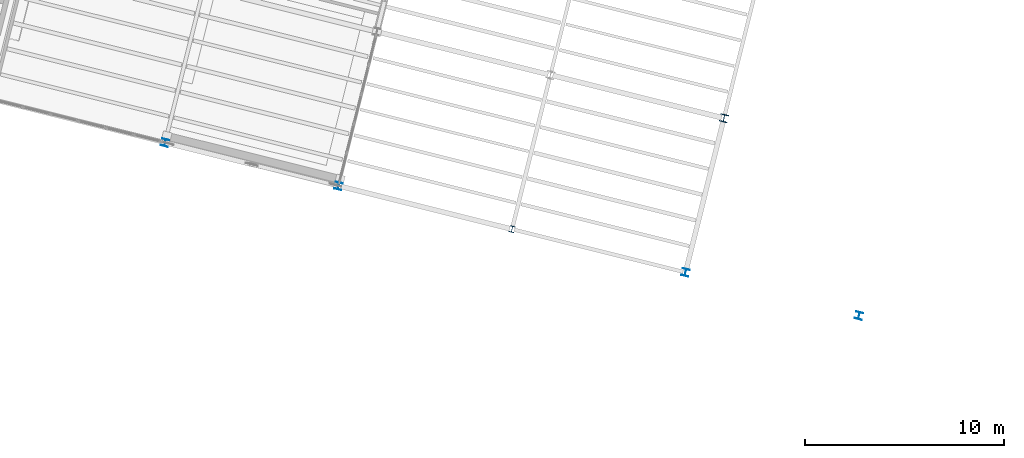
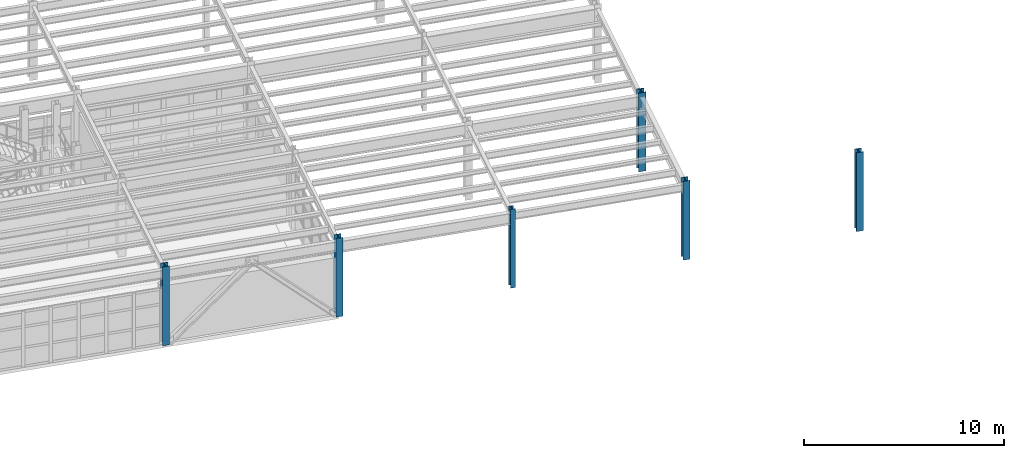
# One storey, part 7 of 109: 6 columns.
"""IFC4 building model written with IfcOpenShell, lengths in metres."""

from ifc_helpers import new_model, si_unit, direction, frame, origin, origin_2d, place, context, subcontext, project, spatial, i_section, extrude, material, material_profile, profile_set, type_object, element, save


model = new_model("IFC4")

# Units and contexts
model_context = context("Model", 3, precision=1e-05, world=origin(), true_north=direction((0.0, 1.0)))
body_context = subcontext(model_context, "Body", "Model", "MODEL_VIEW")
ifc_project = project(units=[si_unit("LENGTHUNIT", "METRE"), si_unit("AREAUNIT", "SQUARE_METRE"), si_unit("VOLUMEUNIT", "CUBIC_METRE"), si_unit("PLANEANGLEUNIT", "RADIAN"), si_unit("MASSUNIT", "GRAM", prefix="KILO")], contexts=[model_context])

# Site, building, storey
site_placement = place(None, origin())
site = spatial("IfcSite", under=ifc_project, at=site_placement, CompositionType="ELEMENT")
building_placement = place(site_placement, origin())
building = spatial("IfcBuilding", under=site, at=building_placement, Name="Vireo Bluff Cable Station", CompositionType="ELEMENT")
storey_placement = place(building_placement, frame((0.0, 0.0, 4.800048828125)))
storey = spatial("IfcBuildingStorey", under=building, at=storey_placement, Name="L01", CompositionType="ELEMENT", Elevation=4.800048828125)

# Columns
ifc_material = material(Name="Steel ASTM A992 Gr. 50", Category="steel")
ifc_material_profile_1 = material_profile(ifc_material, i_section(OverallWidth=0.39892578125, OverallDepth=0.385986328125, WebThickness=0.02099609375, FlangeThickness=0.033203125, FilletRadius=0.014892578125, at=origin_2d()), Name="W14X176")
ifc_profile_set_1 = profile_set([ifc_material_profile_1], Name="Steel ASTM A992 Gr. 50")
column_type_1 = type_object("IfcColumnType", Name="COL-W14X176", PredefinedType="COLUMN", material=ifc_profile_set_1)
column_1_placement = place(storey_placement, frame((99.5986328125, 34.8759765625, 0.0), z_axis=(0.0, 0.0, 1.0), x_axis=(0.970295726276, -0.2419218956, 0.0)))
element("IfcColumn", 1, at=column_1_placement, inside=storey, type_object=column_type_1, Name="V1 L01 column 103", PredefinedType="COLUMN", context=body_context, shape_type="SweptSolid", body=[
    extrude(i_section(OverallWidth=0.39892578125, OverallDepth=0.385986328125, WebThickness=0.02099609375, FlangeThickness=0.033203125, FilletRadius=0.014892578125, at=origin_2d()), origin(), (0.0, 0.0, 1.0), 4.800048828125),
])
ifc_material_profile_2 = material_profile(ifc_material, i_section(OverallWidth=0.3701171875, OverallDepth=0.360107421875, WebThickness=0.01220703125, FlangeThickness=0.019775390625, FilletRadius=0.014892578125, at=origin_2d()), Name="W14X99")
ifc_profile_set_2 = profile_set([ifc_material_profile_2], Name="Steel ASTM A992 Gr. 50")
column_type_2 = type_object("IfcColumnType", Name="ECOL-W14X99", PredefinedType="COLUMN", material=ifc_profile_set_2)
for number, where, z_axis, x_axis, name in (
    (2, (71.46533203125, 33.6455078125, 0.0), (0.0, 0.0, 1.0), (0.970295726276, -0.2419218956, 0.0), "V1 L01 column 42"),
    (3, (80.197998046875, 31.468017578125, 0.0), (0.0, 0.0, 1.0), (0.970295726276, -0.2419218956, 0.0), "V1 L01 column 62"),
    (4, (97.663330078125, 27.113525390625, 0.0), (0.0, 0.0, 1.0), (0.970295726276, -0.2419218956, 0.0), "V1 L01 column 98"),
    (5, (106.39599609375, 24.936279296875, 0.0), (0.0, 0.0, 1.0), (0.970295726276, -0.2419218956, 0.0), "V1 L01 column 114"),
):
    element("IfcColumn", number, at=place(storey_placement, frame(where, z_axis=z_axis, x_axis=x_axis)), inside=storey, type_object=column_type_2, Name=name, PredefinedType="COLUMN", context=body_context, shape_type="SweptSolid", body=[
        extrude(i_section(OverallWidth=0.3701171875, OverallDepth=0.360107421875, WebThickness=0.01220703125, FlangeThickness=0.019775390625, FilletRadius=0.014892578125, at=origin_2d()), origin(), (0.0, 0.0, 1.0), 4.800048828125),
    ])
ifc_material_profile_3 = material_profile(ifc_material, i_section(OverallWidth=0.25390625, OverallDepth=0.31005859375, WebThickness=0.009033203125, FlangeThickness=0.016357421875, FilletRadius=0.010986328125, at=origin_2d()), Name="W12X58")
ifc_profile_set_3 = profile_set([ifc_material_profile_3], Name="Steel ASTM A992 Gr. 50")
column_type_3 = type_object("IfcColumnType", Name="PIL-W12X58", PredefinedType="PILASTER", material=ifc_profile_set_3)
column_2_placement = place(storey_placement, frame((88.9306640625, 29.290771484375, 0.0), z_axis=(0.0, 0.0, 1.0), x_axis=(0.970295726276, -0.2419218956, 0.0)))
element("IfcColumn", 6, at=column_2_placement, inside=storey, type_object=column_type_3, Name="V1 L01 column 82", PredefinedType="PILASTER", context=body_context, shape_type="SweptSolid", body=[
    extrude(i_section(OverallWidth=0.25390625, OverallDepth=0.31005859375, WebThickness=0.009033203125, FlangeThickness=0.016357421875, FilletRadius=0.010986328125, at=origin_2d()), origin(), (0.0, 0.0, 1.0), 4.800048828125),
])

save(model, "model.ifc")
